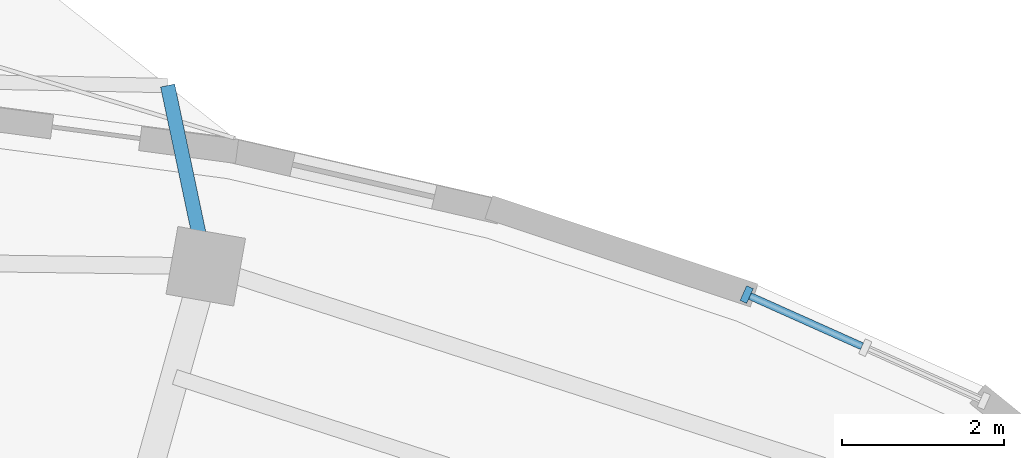
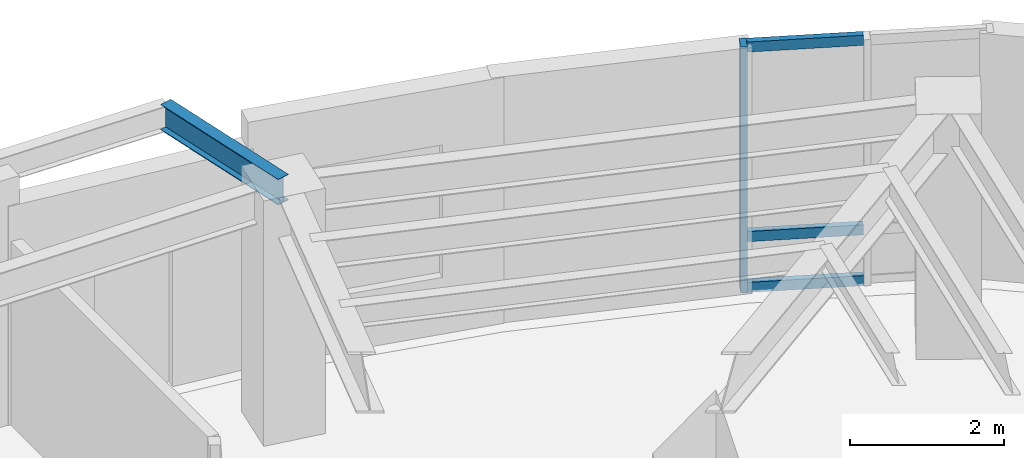
# One storey, part 6 of 14: 4 members, 1 beam, 1 element without a shape of its own.
"""IFC4 building model written with IfcOpenShell, lengths in metres."""

import ifcopenshell
import ifcopenshell.guid

model = None  # the IFC model being written
_history = None  # IfcOwnerHistory: only IFC2X3 demands one
_inside = {}  # id of a spatial element -> (the spatial element, [elements in it])
_under = {}  # id of a project, library or spatial element -> (it, [spatial elements below it])
_declared = {}  # id of a project -> (the project, [libraries it declares])
_typed = {}  # id of a type object -> (the type object, [elements of that type])
_made_of = {}  # id of a material, layer set ... -> (it, [elements and type objects made of it])


def new_model(schema):
    """Start an empty IFC model of exactly this schema.

    Asked for "IFC4X3", IfcOpenShell would pick the latest addendum, in which some entities
    have other attributes; the version numbers below select the first issue.
    IFC2X3 requires an IfcOwnerHistory on every rooted entity: one is made here for all.
    """
    global model, _history
    if schema == "IFC4X3":
        model = ifcopenshell.file(schema_version=(4, 3, 0, 0))
    else:
        model = ifcopenshell.file(schema=schema)
    _inside.clear()
    _under.clear()
    _declared.clear()
    _typed.clear()
    _made_of.clear()
    _history = None
    if model.schema == "IFC2X3":
        org = make("IfcOrganization", Name="unknown")
        user = make(
            "IfcPersonAndOrganization",
            ThePerson=make("IfcPerson", FamilyName="unknown"),
            TheOrganization=org,
        )
        app = make(
            "IfcApplication",
            ApplicationDeveloper=org,
            Version="unknown",
            ApplicationFullName="unknown",
            ApplicationIdentifier="unknown",
        )
        _history = make(
            "IfcOwnerHistory",
            OwningUser=user,
            OwningApplication=app,
            ChangeAction="ADDED",
            CreationDate=0,
        )
    return model


def make(cls, **values):
    """One entity of the class cls with the attributes given. An attribute that is None is left unset."""
    return model.create_entity(
        cls, **{name: value for name, value in values.items() if value is not None}
    )


def rooted(cls, **values):
    """An entity with a GlobalId (a new one), such as an element, a storey or a relation."""
    return make(cls, GlobalId=ifcopenshell.guid.new(), OwnerHistory=_history, **values)


def si_unit(unit_type, name, prefix=None):
    """IfcSIUnit, for example si_unit("LENGTHUNIT", "METRE", prefix="MILLI")."""
    return make("IfcSIUnit", UnitType=unit_type, Prefix=prefix, Name=name)


def assignment(units):
    """IfcUnitAssignment: the units of a project."""
    return None if units is None else make("IfcUnitAssignment", Units=units)


def point(xyz):
    """IfcCartesianPoint."""
    return None if xyz is None else make("IfcCartesianPoint", Coordinates=xyz)


def direction(xyz):
    """IfcDirection."""
    return None if xyz is None else make("IfcDirection", DirectionRatios=xyz)


def frame(location, z_axis=None, x_axis=None):
    """IfcAxis2Placement3D, a coordinate frame: its origin and axes. An axis left out is left unset."""
    return make(
        "IfcAxis2Placement3D",
        Location=point(location),
        Axis=direction(z_axis),
        RefDirection=direction(x_axis),
    )


def frame_2d(location, x_axis=None):
    """IfcAxis2Placement2D, a coordinate frame in the plane: its origin and x axis."""
    return make(
        "IfcAxis2Placement2D", Location=point(location), RefDirection=direction(x_axis)
    )


def origin():
    """The frame at (0, 0, 0) with its axes left unset."""
    return frame((0.0, 0.0, 0.0))


def origin_2d():
    """The frame at (0, 0) in the plane with its x axis left unset."""
    return frame_2d((0.0, 0.0))


def place(relative_to, where):
    """IfcLocalPlacement: puts the frame where relative to a parent placement (None: the world)."""
    return make(
        "IfcLocalPlacement", PlacementRelTo=relative_to, RelativePlacement=where
    )


def context(
    kind, dimensions, precision=None, world=None, true_north=None, identifier=None
):
    """IfcGeometricRepresentationContext, for example the 3D "Model" context."""
    return make(
        "IfcGeometricRepresentationContext",
        ContextIdentifier=identifier,
        ContextType=kind,
        CoordinateSpaceDimension=dimensions,
        Precision=precision,
        WorldCoordinateSystem=world,
        TrueNorth=true_north,
    )


def subcontext(parent, identifier, kind, view, scale=None):
    """IfcGeometricRepresentationSubContext, for example "Body" below "Model"."""
    return make(
        "IfcGeometricRepresentationSubContext",
        ContextIdentifier=identifier,
        ContextType=kind,
        ParentContext=parent,
        TargetScale=scale,
        TargetView=view,
    )


def project(units=None, contexts=None):
    """IfcProject with its units and contexts."""
    return rooted(
        "IfcProject",
        Name="project",
        RepresentationContexts=contexts,
        UnitsInContext=assignment(units),
    )


def spatial(cls, under=None, at=None, **own):
    """A site, building, storey or space (cls), placed at a placement, below another one or the project."""
    s = rooted(cls, ObjectPlacement=at, **own)
    if under is not None:
        _under.setdefault(under.id(), (under, []))[1].append(s)
    return s


def profile(cls, at=None, kind="AREA", **sizes):
    """A parametric profile (cls). Its sizes go by their IFC names, for example OverallWidth=200.0."""
    return make(cls, ProfileType=kind, Position=at, **sizes)


def rectangle(**sizes):
    """IfcRectangleProfileDef."""
    return profile("IfcRectangleProfileDef", **sizes)


def i_section(**sizes):
    """IfcIShapeProfileDef."""
    return profile("IfcIShapeProfileDef", **sizes)


def extrude(swept, where, along, depth):
    """IfcExtrudedAreaSolid: the profile swept, set in the frame where, extruded along a direction by depth."""
    return make(
        "IfcExtrudedAreaSolid",
        SweptArea=swept,
        Position=where,
        ExtrudedDirection=direction(along),
        Depth=depth,
    )


def shape(context_of_items, identifier, shape_type, items):
    """IfcShapeRepresentation: the items that make up one representation, for example the "Body"."""
    return make(
        "IfcShapeRepresentation",
        ContextOfItems=context_of_items,
        RepresentationIdentifier=identifier,
        RepresentationType=shape_type,
        Items=items,
    )


def material(Name=None, Category=None):
    """IfcMaterial."""
    return make("IfcMaterial", Name=Name, Category=Category)


def layer(
    of_material, thickness, ventilated=None, Name=None, Category=None, Priority=None
):
    """IfcMaterialLayer: one layer of a wall or slab, of a material (None: an air gap)."""
    return make(
        "IfcMaterialLayer",
        Material=of_material,
        LayerThickness=thickness,
        IsVentilated=ventilated,
        Name=Name,
        Category=Category,
        Priority=Priority,
    )


def layer_set(layers, Name=None):
    """IfcMaterialLayerSet."""
    return make("IfcMaterialLayerSet", MaterialLayers=layers, LayerSetName=Name)


def material_profile(
    of_material, cross_section, Name=None, Category=None, Priority=None
):
    """IfcMaterialProfile: a cross section and its material."""
    return make(
        "IfcMaterialProfile",
        Name=Name,
        Material=of_material,
        Profile=cross_section,
        Priority=Priority,
        Category=Category,
    )


def profile_set(profiles, Name=None, composite=None):
    """IfcMaterialProfileSet."""
    return make(
        "IfcMaterialProfileSet",
        Name=Name,
        MaterialProfiles=profiles,
        CompositeProfile=composite,
    )


def made_of(thing, what):
    """Note that an element or type object is made of a material, layer set ...; save() writes the relation."""
    if what is not None:
        _made_of.setdefault(what.id(), (what, []))[1].append(thing)
    return thing


def type_object(cls, material=None, **own):
    """A type object (cls), such as IfcWallType, which elements share."""
    return made_of(rooted(cls, **own), material)


def element(
    cls,
    number,
    at=None,
    inside=None,
    cuts=None,
    type_object=None,
    material=None,
    context=None,
    identifier="Body",
    shape_type=None,
    held_by="IfcProductDefinitionShape",
    body=None,
    shapes=None,
    **own,
):
    """One element of the class cls, such as IfcWall. Its Tag is "e" and its number.

    at: its placement. inside: the storey or other place that contains it. cuts: it is an
    opening in that element (IfcRelVoidsElement). A single representation is given by context,
    identifier, shape_type and body (its items); several are given by shapes. held_by: the class
    of the entity that holds the representations. save() writes the other relations.
    """
    e = rooted(cls, Tag="e%d" % number, ObjectPlacement=at, **own)
    if body is not None:
        shapes = [shape(context, identifier, shape_type, body)]
    if shapes is not None:
        e.Representation = make(held_by, Representations=shapes)
    if inside is not None:
        _inside.setdefault(inside.id(), (inside, []))[1].append(e)
    if cuts is not None:
        rooted(
            "IfcRelVoidsElement", RelatingBuildingElement=cuts, RelatedOpeningElement=e
        )
    if type_object is not None:
        _typed.setdefault(type_object.id(), (type_object, []))[1].append(e)
    return made_of(e, material)


def aggregate(whole, parts):
    """IfcRelAggregates: a whole, such as a stair, and the parts it consists of."""
    return rooted("IfcRelAggregates", RelatingObject=whole, RelatedObjects=parts)


def save(model, path):
    """Write the relations noted so far, then the file.

    IfcRelAggregates (storeys below a building ...), IfcRelContainedInSpatialStructure (elements
    in a storey), IfcRelDefinesByType, IfcRelAssociatesMaterial and IfcRelDeclares: one each for
    every whole, place, type object, material and project.
    """
    for whole, parts in _under.values():
        aggregate(whole, parts)
    for where, things in _inside.values():
        rooted(
            "IfcRelContainedInSpatialStructure",
            RelatedElements=things,
            RelatingStructure=where,
        )
    for kind, things in _typed.values():
        rooted("IfcRelDefinesByType", RelatedObjects=things, RelatingType=kind)
    for what, things in _made_of.values():
        rooted("IfcRelAssociatesMaterial", RelatedObjects=things, RelatingMaterial=what)
    for by, libraries in _declared.values():
        rooted("IfcRelDeclares", RelatingContext=by, RelatedDefinitions=libraries)
    model.write(path)


model = new_model("IFC4")

# Units and contexts
model_context = context("Model", 3, precision=1e-05, world=origin(), true_north=direction((0.0, 1.0)))
body_context = subcontext(model_context, "Body", "Model", "MODEL_VIEW")
ifc_project = project(units=[si_unit("LENGTHUNIT", "METRE"), si_unit("AREAUNIT", "SQUARE_METRE"), si_unit("VOLUMEUNIT", "CUBIC_METRE"), si_unit("PLANEANGLEUNIT", "RADIAN"), si_unit("MASSUNIT", "GRAM", prefix="KILO")], contexts=[model_context])

# Site, building, storey
site_placement = place(None, origin())
site = spatial("IfcSite", under=ifc_project, at=site_placement, CompositionType="ELEMENT")
building_placement = place(site_placement, origin())
building = spatial("IfcBuilding", under=site, at=building_placement, Name="Korentha Bioscience Tower", CompositionType="ELEMENT")
storey_placement = place(building_placement, frame((0.0, 0.0, 247.800048828125)))
storey = spatial("IfcBuildingStorey", under=building, at=storey_placement, Name="L57", CompositionType="ELEMENT", Elevation=247.800048828125)

# Curtain wall, member
ifc_material_1 = material(Name="Thermally Broken Aluminium Frame", Category="aluminium")
ifc_layer = layer(ifc_material_1, 0.219970703125, Name="Thermally Broken Aluminium Frame")
ifc_layer_set = layer_set([ifc_layer], Name="Thermally Broken Aluminium Frame (CW-T1)")
curtain_wall_type = type_object("IfcCurtainWallType", Name="Standard Bioscience Lab Unitised Curtain Wall CW-T1", PredefinedType="USERDEFINED", material=ifc_layer_set)
curtain_wall_placement = place(storey_placement, origin())
curtain_wall = element("IfcCurtainWall", 1, at=curtain_wall_placement, inside=storey, type_object=curtain_wall_type, Name="L57 Curtain Wall 01", ObjectType="UNITISED", PredefinedType="USERDEFINED")
ifc_material_2 = material(Name="Anodised Aluminium 6063-T6", Category="aluminium")
ifc_material_profile_1 = material_profile(ifc_material_2, rectangle(XDim=0.090087890625, YDim=0.199951171875, at=origin_2d()), Name="Anodised Aluminium 6063-T6")
ifc_profile_set_1 = profile_set([ifc_material_profile_1], Name="Anodised Aluminium 6063-T6 (CW-MUL)")
member_type_1 = type_object("IfcMemberType", Name="Mullion RECT 90x200", PredefinedType="MULLION", material=ifc_profile_set_1)
member_1_placement = place(storey_placement, frame((47.203369140625, 46.0732421875, 0.0), z_axis=(0.0, 0.0, 1.0), x_axis=(-0.912621774183, 0.408804962405, 0.0)))
member_1 = element("IfcMember", 2, at=member_1_placement, type_object=member_type_1, Name="CW-L57-01 Mullion 3", PredefinedType="MULLION", context=body_context, shape_type="SweptSolid", body=[
    extrude(rectangle(XDim=0.090087890625, YDim=0.199951171875, at=origin_2d()), origin(), (0.0, 0.0, 1.0), 3.89990234375),
])

# Beam
ifc_material_3 = material(Name="Steel S355", Category="steel")
ifc_material_profile_2 = material_profile(ifc_material_3, i_section(OverallWidth=0.177978515625, OverallDepth=0.406982421875, WebThickness=0.0078125, FlangeThickness=0.0126953125, at=origin_2d()), Name="Steel S355")
ifc_profile_set_2 = profile_set([ifc_material_profile_2], Name="Steel S355 (CB-410)")
beam_type = type_object("IfcBeamType", Name="Sun-Ledge Cantilever Beam W410x60", PredefinedType="BEAM", material=ifc_profile_set_2)
beam_placement = place(storey_placement, frame((40.5087890625, 46.423828125, 3.698486328125), z_axis=(-0.206559484969, 0.978434044363, 0.0), x_axis=(-0.978434044363, -0.206559484969, 0.0)))
element("IfcBeam", 3, at=beam_placement, inside=storey, type_object=beam_type, Name="L57 Balcony Cantilever Bracket A-L58-01", PredefinedType="BEAM", context=body_context, shape_type="SweptSolid", body=[
    extrude(i_section(OverallWidth=0.177978515625, OverallDepth=0.406982421875, WebThickness=0.0078125, FlangeThickness=0.0126953125, at=origin_2d()), origin(), (0.0, 0.0, 1.0), 2.285888671875),
])

# Member
ifc_material_profile_3 = material_profile(ifc_material_2, rectangle(XDim=0.090087890625, YDim=0.159912109375, at=origin_2d()), Name="Anodised Aluminium 6063-T6")
ifc_profile_set_3 = profile_set([ifc_material_profile_3], Name="Anodised Aluminium 6063-T6 (CW-TRN)")
member_type_2 = type_object("IfcMemberType", Name="Transom RECT 90x160", PredefinedType="USERDEFINED", material=ifc_profile_set_3)
member_2_placement = place(storey_placement, frame((48.630126953125, 45.43408203125, 0.044921875), z_axis=(-0.912594152791, 0.408866619194, 0.0), x_axis=(-0.408866619194, -0.912594152791, 0.0)))
member_2 = element("IfcMember", 4, at=member_2_placement, type_object=member_type_2, Name="CW-L57-01 Bay 2 Transom 1", ObjectType="TRANSOM", PredefinedType="USERDEFINED", context=body_context, shape_type="SweptSolid", body=[
    extrude(rectangle(XDim=0.090087890625, YDim=0.159912109375, at=origin_2d()), origin(), (0.0, 0.0, 1.0), 1.5185546875),
])

member_3_placement = place(storey_placement, frame((48.630126953125, 45.43408203125, 0.849853515625), z_axis=(-0.912594152791, 0.408866619194, 0.0), x_axis=(-0.408866619194, -0.912594152791, 0.0)))
member_3 = element("IfcMember", 5, at=member_3_placement, type_object=member_type_2, Name="CW-L57-01 Bay 2 Transom 2", ObjectType="TRANSOM", PredefinedType="USERDEFINED", context=body_context, shape_type="SweptSolid", body=[
    extrude(rectangle(XDim=0.090087890625, YDim=0.159912109375, at=origin_2d()), origin(), (0.0, 0.0, 1.0), 1.5185546875),
])

member_4_placement = place(storey_placement, frame((48.630126953125, 45.43408203125, 3.85498046875), z_axis=(-0.912594152791, 0.408866619194, 0.0), x_axis=(-0.408866619194, -0.912594152791, 0.0)))
member_4 = element("IfcMember", 6, at=member_4_placement, type_object=member_type_2, Name="CW-L57-01 Bay 2 Transom 3", ObjectType="TRANSOM", PredefinedType="USERDEFINED", context=body_context, shape_type="SweptSolid", body=[
    extrude(rectangle(XDim=0.090087890625, YDim=0.159912109375, at=origin_2d()), origin(), (0.0, 0.0, 1.0), 1.5185546875),
])

aggregate(curtain_wall, [member_1, member_2, member_3, member_4])

save(model, "model.ifc")
